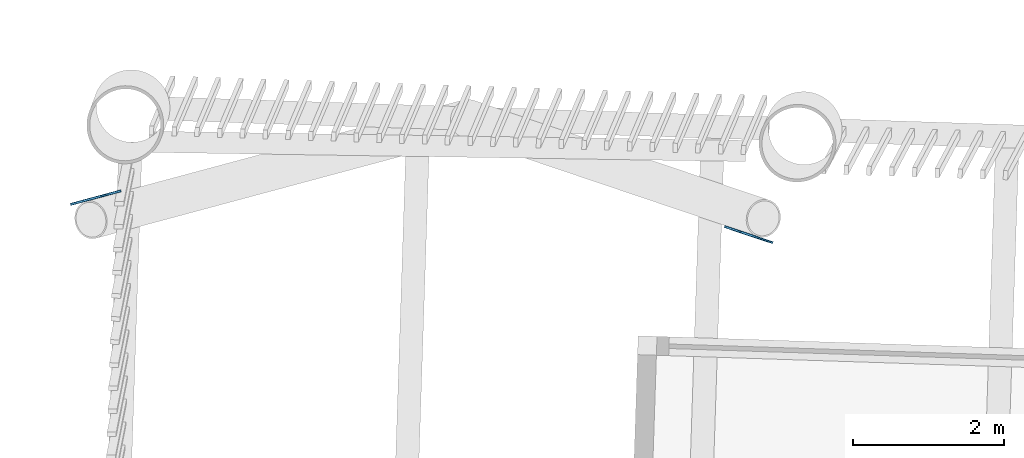
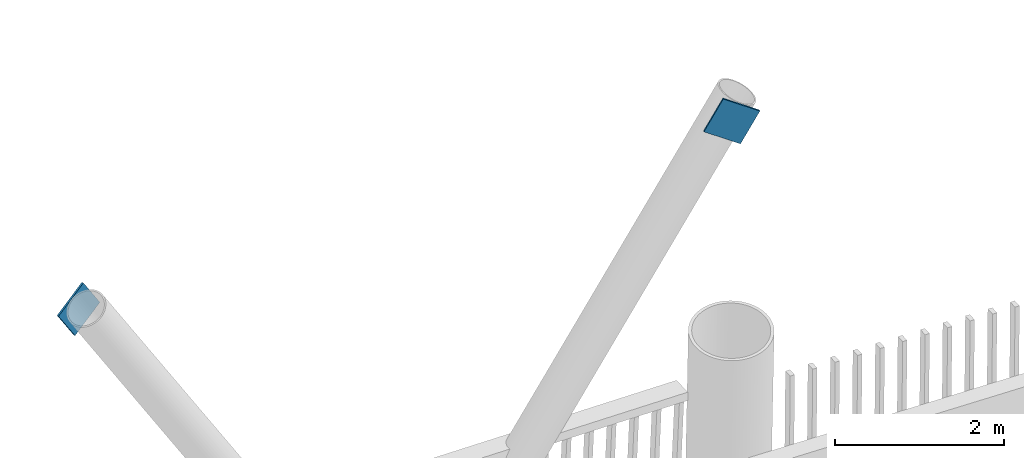
# One storey, part 12 of 21: 2 discrete accessories.
"""IFC4 building model written with IfcOpenShell, lengths in metres."""

from ifc_helpers import new_model, si_unit, direction, frame, origin, origin_2d, place, context, subcontext, project, spatial, rectangle, extrude, material, material_profile, profile_set, type_object, element, save


model = new_model("IFC4")

# Units and contexts
model_context = context("Model", 3, precision=1e-05, world=origin(), true_north=direction((0.0, 1.0)))
body_context = subcontext(model_context, "Body", "Model", "MODEL_VIEW")
ifc_project = project(units=[si_unit("LENGTHUNIT", "METRE"), si_unit("AREAUNIT", "SQUARE_METRE"), si_unit("VOLUMEUNIT", "CUBIC_METRE"), si_unit("PLANEANGLEUNIT", "RADIAN"), si_unit("MASSUNIT", "GRAM", prefix="KILO")], contexts=[model_context])

# Site, building, storey
site_placement = place(None, origin())
site = spatial("IfcSite", under=ifc_project, at=site_placement, CompositionType="ELEMENT")
building_placement = place(site_placement, origin())
building = spatial("IfcBuilding", under=site, at=building_placement, Name="Tarsis Ring Headquarters", CompositionType="ELEMENT")
storey_placement = place(building_placement, frame((0.0, 0.0, 278.60009765625)))
storey = spatial("IfcBuildingStorey", under=building, at=storey_placement, Name="L65", CompositionType="ELEMENT", Elevation=278.60009765625)

# Discrete accessories
ifc_material = material(Name="Structural steel S355", Category="steel")
ifc_material_profile = material_profile(ifc_material, rectangle(XDim=0.02490234375, YDim=0.5, at=origin_2d()), Name="PL 25x500")
ifc_profile_set = profile_set([ifc_material_profile], Name="Structural steel S355")
discrete_accessory_type = type_object("IfcDiscreteAccessoryType", Name="Gusset plate Exo brace 25", PredefinedType="BRACKET", material=ifc_profile_set)
for number, where, z_axis, x_axis, name in (
    (1, (-42.900146484375, 14.9677734375, 7.7998046875), (0.533339328615, 0.143102951725, -0.833709005445), (-0.259148689853, 0.965837437951, 0.0), "Gusset plate GP5"),
    (2, (-34.013916015625, 14.4765625, 7.7998046875), (-0.443556276158, 0.149480419058, -0.883693065605), (-0.319356994755, -0.947634481169, 0.0), "Gusset plate GP5"),
):
    element("IfcDiscreteAccessory", number, at=place(storey_placement, frame(where, z_axis=z_axis, x_axis=x_axis)), inside=storey, type_object=discrete_accessory_type, Name=name, PredefinedType="BRACKET", context=body_context, shape_type="SweptSolid", body=[
        extrude(rectangle(XDim=0.02490234375, YDim=0.5, at=origin_2d()), origin(), (0.0, 0.0, 1.0), 0.499755859375),
    ])

save(model, "model.ifc")
